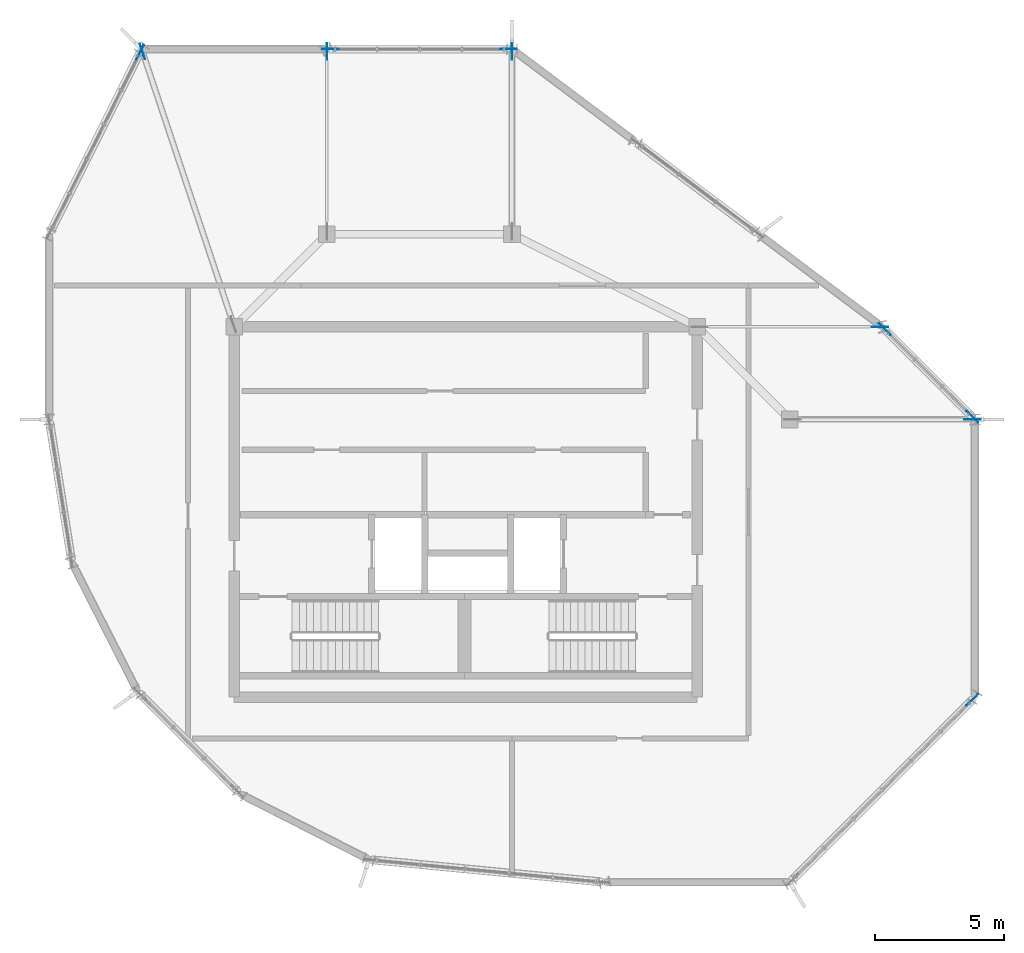
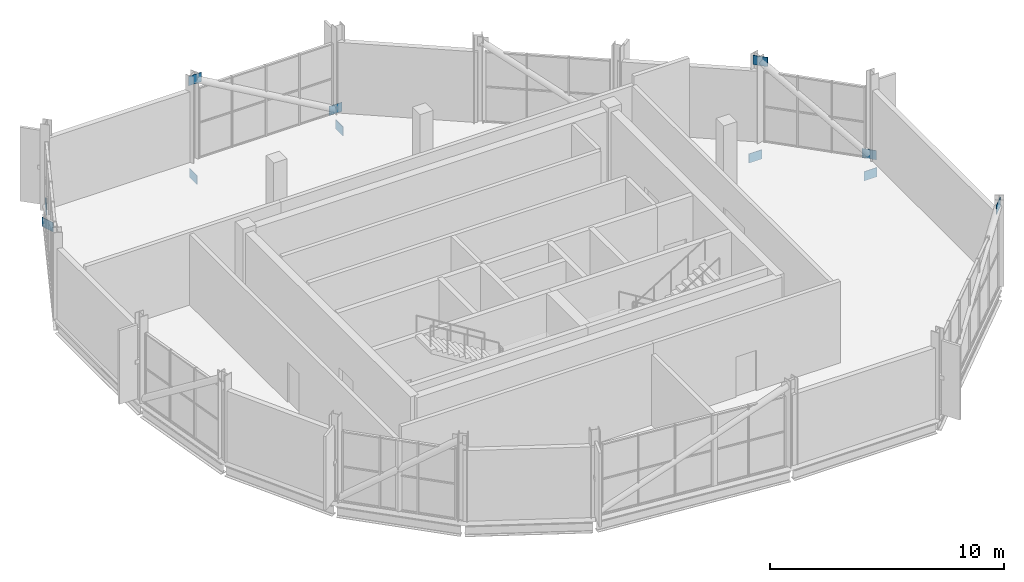
# One storey, part 18 of 22: 11 plates.
"""IFC4 building model written with IfcOpenShell, lengths in metres."""

from ifc_helpers import new_model, si_unit, direction, frame, origin, origin_2d, place, context, subcontext, project, spatial, rectangle, extrude, material, layer, layer_set, type_object, element, save


model = new_model("IFC4")

# Units and contexts
model_context = context("Model", 3, precision=1e-05, world=origin(), true_north=direction((0.0, 1.0)))
body_context = subcontext(model_context, "Body", "Model", "MODEL_VIEW")
ifc_project = project(units=[si_unit("LENGTHUNIT", "METRE"), si_unit("AREAUNIT", "SQUARE_METRE"), si_unit("VOLUMEUNIT", "CUBIC_METRE"), si_unit("PLANEANGLEUNIT", "RADIAN"), si_unit("MASSUNIT", "GRAM", prefix="KILO")], contexts=[model_context])

# Site, building, storey
site_placement = place(None, origin())
site = spatial("IfcSite", under=ifc_project, at=site_placement, CompositionType="ELEMENT")
building_placement = place(site_placement, origin())
building = spatial("IfcBuilding", under=site, at=building_placement, Name="Solnavia Interchange Tower", CompositionType="ELEMENT")
storey_placement = place(building_placement, frame((0.0, 0.0, 308.699951171875)))
storey = spatial("IfcBuildingStorey", under=building, at=storey_placement, Name="C02", CompositionType="ELEMENT", Elevation=308.699951171875)

# Plates
ifc_material = material(Name="Steel S460", Category="steel")
ifc_layer = layer(ifc_material, 0.02490234375)
ifc_layer_set = layer_set([ifc_layer], Name="Steel S460")
plate_type = type_object("IfcPlateType", Name="Plate-Gusset-640x480x25", PredefinedType="USERDEFINED", material=ifc_layer_set)
for number, where, z_axis, x_axis, name in (
    (1, (43.10107421875, 21.698974609375, -0.06005859375), (0.0, 0.0, 1.0), (-0.707106781187, 0.707106781187, 0.0), "PLT-C02-GP01 Crown frame node gusset plate"),
    (2, (39.698974609375, 25.10107421875, 3.920166015625), (0.0, 0.0, 1.0), (-0.707106781187, 0.707106781187, 0.0), "PLT-C02-GP02 Crown frame node gusset plate"),
    (3, (25.06005859375, 36.0, -0.06005859375), (0.0, 0.0, 1.0), (-1.0, 0.0, 0.0), "PLT-C02-GP05 Crown frame node gusset plate"),
    (4, (18.139892578125, 36.0, 3.920166015625), (0.0, 0.0, 1.0), (-1.0, 0.0, 0.0), "PLT-C02-GP06 Crown frame node gusset plate"),
    (5, (10.7373046875, 35.874755859375, -0.06005859375), (0.0, 0.0, 1.0), (-0.447290848419, -0.89438856037, 0.0), "PLT-C02-GP07 Crown frame node gusset plate"),
    (6, (43.10107421875, 10.700927734375, 3.920166015625), (0.0, 0.0, 1.0), (0.707106781187, 0.707106781187, 0.0), "PLT-C02-GP16 Crown frame node gusset plate"),
    (7, (43.10009765625, 21.60009765625, -1.0400390625), (0.0, 0.0, 1.0), (1.0, 0.0, 0.0), "PLT-C02-GP18 Crown collar gusset plate"),
    (8, (39.5, 25.199951171875, -1.0400390625), (0.0, 0.0, 1.0), (1.0, 0.0, 0.0), "PLT-C02-GP20 Crown collar gusset plate"),
    (9, (25.199951171875, 35.89990234375, -1.0400390625), (0.0, 0.0, 1.0), (0.0, 1.0, 0.0), "PLT-C02-GP22 Crown collar gusset plate"),
    (10, (18.0, 35.89990234375, -1.0400390625), (0.0, 0.0, 1.0), (0.0, 1.0, 0.0), "PLT-C02-GP24 Crown collar gusset plate"),
    (11, (10.83154296875, 35.905029296875, -1.0400390625), (0.0, 0.0, 1.0), (-0.316145823974, 0.948710608133, 0.0), "PLT-C02-GP26 Crown collar gusset plate"),
):
    element("IfcPlate", number, at=place(storey_placement, frame(where, z_axis=z_axis, x_axis=x_axis)), inside=storey, type_object=plate_type, Name=name, ObjectType="GUSSET PLATE", PredefinedType="USERDEFINED", context=body_context, shape_type="SweptSolid", body=[
        extrude(rectangle(XDim=0.639892578125, YDim=0.02490234375, at=origin_2d()), origin(), (0.0, 0.0, 1.0), 0.47998046875),
    ])

save(model, "model.ifc")
